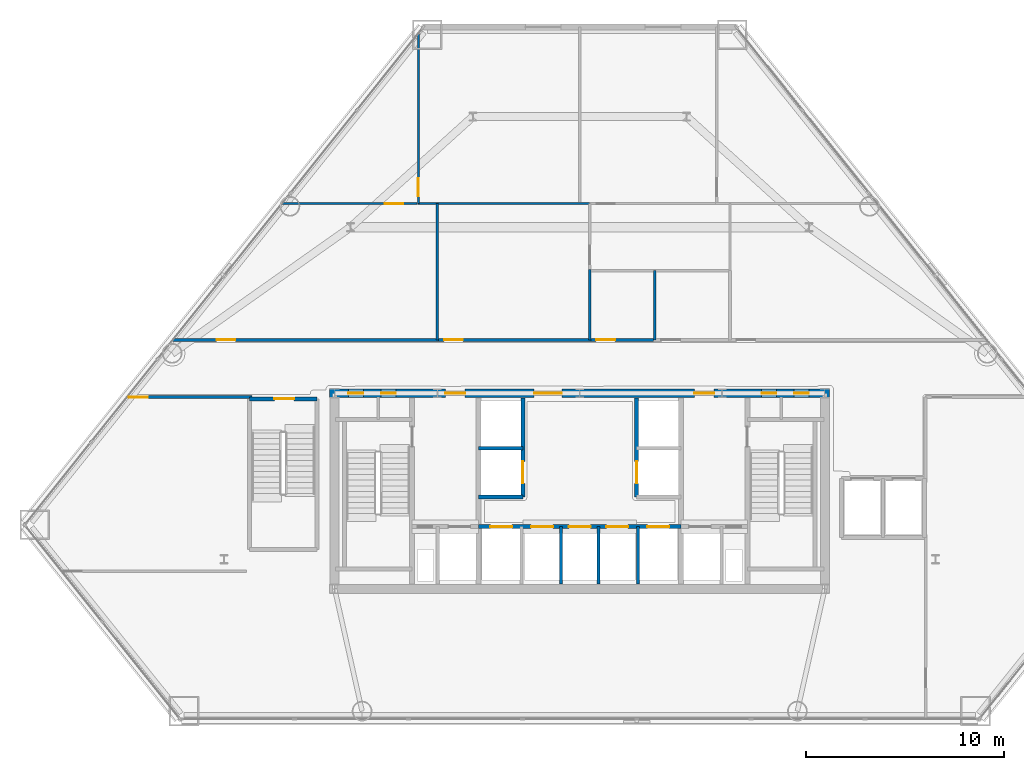
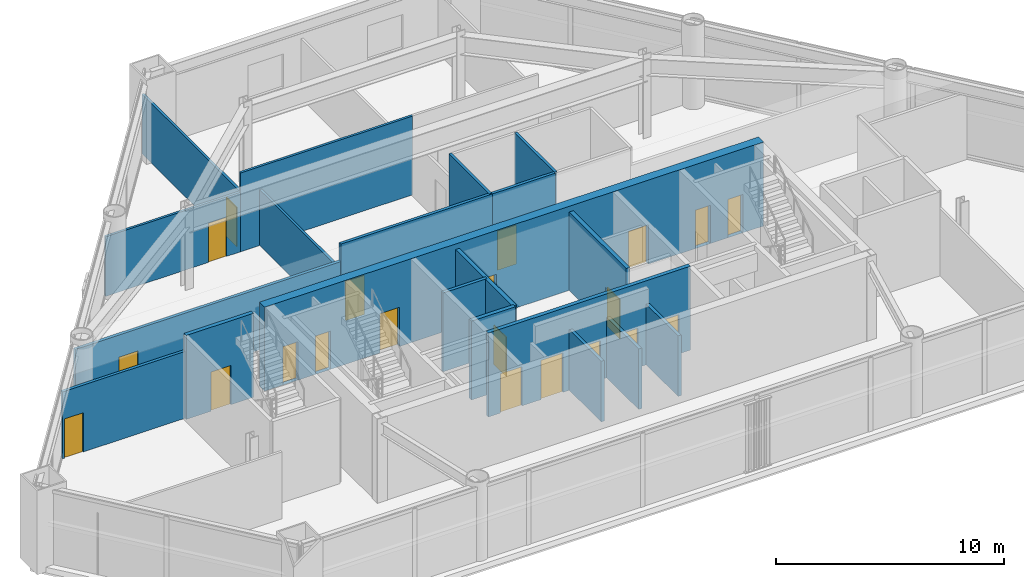
# One storey, part 8 of 13: 21 doors, 20 walls, 21 openings.
"""IFC4 building model written with IfcOpenShell, lengths in metres."""

from ifc_helpers import new_model, si_unit, direction, frame, frame_2d, origin, place, context, subcontext, project, spatial, rectangle, extrude, material, layer, layer_set, type_object, element, fill, save


model = new_model("IFC4")

# Units and contexts
model_context = context("Model", 3, precision=1e-05, world=origin(), true_north=direction((0.0, 1.0)))
body_context = subcontext(model_context, "Body", "Model", "MODEL_VIEW")
ifc_project = project(units=[si_unit("LENGTHUNIT", "METRE"), si_unit("AREAUNIT", "SQUARE_METRE"), si_unit("VOLUMEUNIT", "CUBIC_METRE"), si_unit("PLANEANGLEUNIT", "RADIAN"), si_unit("MASSUNIT", "GRAM", prefix="KILO")], contexts=[model_context])

# Site, building, storey
site_placement = place(None, origin())
site = spatial("IfcSite", under=ifc_project, at=site_placement, CompositionType="ELEMENT")
building_placement = place(site_placement, origin())
building = spatial("IfcBuilding", under=site, at=building_placement, Name="Talgorran Terracotta Tower", CompositionType="ELEMENT")
storey_placement = place(building_placement, frame((0.0, 0.0, 9.89990234375)))
storey = spatial("IfcBuildingStorey", under=building, at=storey_placement, Name="L02", CompositionType="ELEMENT", Elevation=9.89990234375)

# Wall, openings, doors
ifc_material_1 = material(Name="Concrete C50/60", Category="concrete")
ifc_layer_1 = layer(ifc_material_1, 0.199951171875, Name="WT_CORE_200")
ifc_layer_set_1 = layer_set([ifc_layer_1], Name="Concrete C50/60")
wall_type_1 = type_object("IfcWallType", Name="WT_CORE_200", PredefinedType="SOLIDWALL", material=ifc_layer_set_1)
wall_1_placement = place(storey_placement, frame((-5.1201171875, -10.949951171875, 0.0), z_axis=(0.0, 0.0, 1.0), x_axis=(1.0, 0.0, 0.0)))
wall_1 = element("IfcWall", 1, at=wall_1_placement, inside=storey, type_object=wall_type_1, Name="WL-L02-CW-H-SBC", PredefinedType="SOLIDWALL", context=body_context, shape_type="SweptSolid", body=[
    extrude(rectangle(XDim=10.240234375, YDim=0.199951171875, at=frame_2d((5.1201171875, 0.0))), origin(), (0.0, 0.0, 1.0), 4.5),
])
opening_1_placement = place(wall_1_placement, frame((0.60009765625, 0.0, 0.0)))
opening_1 = element("IfcOpeningElement", 2, at=opening_1_placement, cuts=wall_1, Name="Opening LD-OB1", PredefinedType="OPENING", context=body_context, shape_type="SweptSolid", body=[
    extrude(rectangle(XDim=1.10609765625, YDim=2.10409765625, at=frame_2d((0.550048828125, 1.052001953125))), frame((0.0, 0.10986328125, 0.0), z_axis=(0.0, -1.0, 0.0), x_axis=(1.0, 0.0, 0.0)), (0.0, 0.0, 1.0), 0.219970703125),
])
opening_2_placement = place(wall_1_placement, frame((2.669921875, 0.0, 0.0)))
opening_2 = element("IfcOpeningElement", 3, at=opening_2_placement, cuts=wall_1, Name="Opening LD-PLH1", PredefinedType="OPENING", context=body_context, shape_type="SweptSolid", body=[
    extrude(rectangle(XDim=1.10609765625, YDim=2.10409765625, at=frame_2d((0.550048828125, 1.052001953125))), frame((0.0, 0.10986328125, 0.0), z_axis=(0.0, -1.0, 0.0), x_axis=(1.0, 0.0, 0.0)), (0.0, 0.0, 1.0), 0.219970703125),
])
opening_3_placement = place(wall_1_placement, frame((4.570068359375, 0.0, 0.0)))
opening_3 = element("IfcOpeningElement", 4, at=opening_3_placement, cuts=wall_1, Name="Opening LD-PLH2", PredefinedType="OPENING", context=body_context, shape_type="SweptSolid", body=[
    extrude(rectangle(XDim=1.10609765625, YDim=2.10409765625, at=frame_2d((0.550048828125, 1.052001953125))), frame((0.0, 0.10986328125, 0.0), z_axis=(0.0, -1.0, 0.0), x_axis=(1.0, 0.0, 0.0)), (0.0, 0.0, 1.0), 0.219970703125),
])
opening_4_placement = place(wall_1_placement, frame((6.469970703125, 0.0, 0.0)))
opening_4 = element("IfcOpeningElement", 5, at=opening_4_placement, cuts=wall_1, Name="Opening LD-PLH3", PredefinedType="OPENING", context=body_context, shape_type="SweptSolid", body=[
    extrude(rectangle(XDim=1.10609765625, YDim=2.10409765625, at=frame_2d((0.550048828125, 1.052001953125))), frame((0.0, 0.10986328125, 0.0), z_axis=(0.0, -1.0, 0.0), x_axis=(1.0, 0.0, 0.0)), (0.0, 0.0, 1.0), 0.219970703125),
])
opening_5_placement = place(wall_1_placement, frame((8.5400390625, 0.0, 0.0)))
opening_5 = element("IfcOpeningElement", 6, at=opening_5_placement, cuts=wall_1, Name="Opening LD-SVL1", PredefinedType="OPENING", context=body_context, shape_type="SweptSolid", body=[
    extrude(rectangle(XDim=1.10609765625, YDim=2.10409765625, at=frame_2d((0.550048828125, 1.052001953125))), frame((0.0, 0.10986328125, 0.0), z_axis=(0.0, -1.0, 0.0), x_axis=(1.0, 0.0, 0.0)), (0.0, 0.0, 1.0), 0.219970703125),
])
ifc_material_2 = material(Name="Brushed Stainless Steel Grade 304", Category="steel")
door_type_1 = type_object("IfcDoorType", Name="DT_LIFT_LD1100", OperationType="DOUBLE_DOOR_SLIDING", PredefinedType="DOOR", material=ifc_material_2)
door_1_placement = place(opening_1_placement, origin())
door_1 = element("IfcDoor", 7, at=door_1_placement, inside=storey, type_object=door_type_1, Name="L02 Lift Landing Door LD-OB1", OperationType="DOUBLE_DOOR_SLIDING", OverallHeight=2.10009765625, OverallWidth=1.10009765625, PredefinedType="DOOR", context=body_context, shape_type="SweptSolid", body=[
    extrude(rectangle(XDim=1.10009765625, YDim=2.10009765625, at=frame_2d((0.550048828125, 1.050048828125))), frame((0.0, 0.02490234375, 0.0), z_axis=(0.0, -1.0, 0.0), x_axis=(1.0, 0.0, 0.0)), (0.0, 0.0, 1.0), 0.050048828125),
])
fill(opening_1, door_1)
door_2_placement = place(opening_2_placement, origin())
door_2 = element("IfcDoor", 8, at=door_2_placement, inside=storey, type_object=door_type_1, Name="L02 Lift Landing Door LD-PLH1", OperationType="DOUBLE_DOOR_SLIDING", OverallHeight=2.10009765625, OverallWidth=1.10009765625, PredefinedType="DOOR", context=body_context, shape_type="SweptSolid", body=[
    extrude(rectangle(XDim=1.10009765625, YDim=2.10009765625, at=frame_2d((0.550048828125, 1.050048828125))), frame((0.0, 0.02490234375, 0.0), z_axis=(0.0, -1.0, 0.0), x_axis=(1.0, 0.0, 0.0)), (0.0, 0.0, 1.0), 0.050048828125),
])
fill(opening_2, door_2)
door_3_placement = place(opening_3_placement, origin())
door_3 = element("IfcDoor", 9, at=door_3_placement, inside=storey, type_object=door_type_1, Name="L02 Lift Landing Door LD-PLH2", OperationType="DOUBLE_DOOR_SLIDING", OverallHeight=2.10009765625, OverallWidth=1.10009765625, PredefinedType="DOOR", context=body_context, shape_type="SweptSolid", body=[
    extrude(rectangle(XDim=1.10009765625, YDim=2.10009765625, at=frame_2d((0.550048828125, 1.050048828125))), frame((0.0, 0.02490234375, 0.0), z_axis=(0.0, -1.0, 0.0), x_axis=(1.0, 0.0, 0.0)), (0.0, 0.0, 1.0), 0.050048828125),
])
fill(opening_3, door_3)
door_4_placement = place(opening_4_placement, origin())
door_4 = element("IfcDoor", 10, at=door_4_placement, inside=storey, type_object=door_type_1, Name="L02 Lift Landing Door LD-PLH3", OperationType="DOUBLE_DOOR_SLIDING", OverallHeight=2.10009765625, OverallWidth=1.10009765625, PredefinedType="DOOR", context=body_context, shape_type="SweptSolid", body=[
    extrude(rectangle(XDim=1.10009765625, YDim=2.10009765625, at=frame_2d((0.550048828125, 1.050048828125))), frame((0.0, 0.02490234375, 0.0), z_axis=(0.0, -1.0, 0.0), x_axis=(1.0, 0.0, 0.0)), (0.0, 0.0, 1.0), 0.050048828125),
])
fill(opening_4, door_4)
door_5_placement = place(opening_5_placement, origin())
door_5 = element("IfcDoor", 11, at=door_5_placement, inside=storey, type_object=door_type_1, Name="L02 Lift Landing Door LD-SVL1", OperationType="DOUBLE_DOOR_SLIDING", OverallHeight=2.10009765625, OverallWidth=1.10009765625, PredefinedType="DOOR", context=body_context, shape_type="SweptSolid", body=[
    extrude(rectangle(XDim=1.10009765625, YDim=2.10009765625, at=frame_2d((0.550048828125, 1.050048828125))), frame((0.0, 0.02490234375, 0.0), z_axis=(0.0, -1.0, 0.0), x_axis=(1.0, 0.0, 0.0)), (0.0, 0.0, 1.0), 0.050048828125),
])
fill(opening_5, door_5)

# Wall, opening, door
wall_2_placement = place(storey_placement, frame((-2.8798828125, -9.449951171875, 0.0), z_axis=(0.0, 0.0, 1.0), x_axis=(0.0, 1.0, 0.0)))
wall_2 = element("IfcWall", 12, at=wall_2_placement, inside=storey, type_object=wall_type_1, Name="WL-L02-CW-V-W3", PredefinedType="SOLIDWALL", context=body_context, shape_type="SweptSolid", body=[
    extrude(rectangle(XDim=5.0, YDim=0.199951171875, at=frame_2d((2.5, 0.0))), origin(), (0.0, 0.0, 1.0), 4.22021484375),
])
opening_6_placement = place(wall_2_placement, frame((0.699951171875, 0.0, 0.0)))
opening_6 = element("IfcOpeningElement", 13, at=opening_6_placement, cuts=wall_2, Name="Opening LD-PLL1", PredefinedType="OPENING", context=body_context, shape_type="SweptSolid", body=[
    extrude(rectangle(XDim=1.10609765625, YDim=2.10409765625, at=frame_2d((0.550048828125, 1.052001953125))), frame((0.0, 0.10986328125, 0.0), z_axis=(0.0, -1.0, 0.0), x_axis=(1.0, 0.0, 0.0)), (0.0, 0.0, 1.0), 0.219970703125),
])
door_6_placement = place(opening_6_placement, origin())
door_6 = element("IfcDoor", 14, at=door_6_placement, inside=storey, type_object=door_type_1, Name="L02 Lift Landing Door LD-PLL1", OperationType="DOUBLE_DOOR_SLIDING", OverallHeight=2.10009765625, OverallWidth=1.10009765625, PredefinedType="DOOR", context=body_context, shape_type="SweptSolid", body=[
    extrude(rectangle(XDim=1.10009765625, YDim=2.10009765625, at=frame_2d((0.550048828125, 1.050048828125))), frame((0.0, 0.02490234375, 0.0), z_axis=(0.0, -1.0, 0.0), x_axis=(1.0, 0.0, 0.0)), (0.0, 0.0, 1.0), 0.050048828125),
])
fill(opening_6, door_6)

# Wall
wall_3_placement = place(storey_placement, frame((-5.1201171875, -9.449951171875, 0.0), z_axis=(0.0, 0.0, 1.0), x_axis=(1.0, 0.0, 0.0)))
element("IfcWall", 15, at=wall_3_placement, inside=storey, type_object=wall_type_1, Name="WL-L02-CW-H-W4", PredefinedType="SOLIDWALL", context=body_context, shape_type="SweptSolid", body=[
    extrude(rectangle(XDim=2.240234375, YDim=0.199951171875, at=frame_2d((1.1201171875, 0.0))), origin(), (0.0, 0.0, 1.0), 4.22021484375),
])

# Wall, opening, door
wall_4_placement = place(storey_placement, frame((2.8798828125, -9.449951171875, 0.0), z_axis=(0.0, 0.0, 1.0), x_axis=(0.0, 1.0, 0.0)))
wall_4 = element("IfcWall", 16, at=wall_4_placement, inside=storey, type_object=wall_type_1, Name="WL-L02-CW-V-E3", PredefinedType="SOLIDWALL", context=body_context, shape_type="SweptSolid", body=[
    extrude(rectangle(XDim=5.0, YDim=0.199951171875, at=frame_2d((2.5, 0.0))), origin(), (0.0, 0.0, 1.0), 4.22021484375),
])
opening_7_placement = place(wall_4_placement, frame((0.699951171875, 0.0, 0.0)))
opening_7 = element("IfcOpeningElement", 17, at=opening_7_placement, cuts=wall_4, Name="Opening LD-PLM1", PredefinedType="OPENING", context=body_context, shape_type="SweptSolid", body=[
    extrude(rectangle(XDim=1.10609765625, YDim=2.10409765625, at=frame_2d((0.550048828125, 1.052001953125))), frame((0.0, 0.10986328125, 0.0), z_axis=(0.0, -1.0, 0.0), x_axis=(1.0, 0.0, 0.0)), (0.0, 0.0, 1.0), 0.219970703125),
])
door_7_placement = place(opening_7_placement, origin())
door_7 = element("IfcDoor", 18, at=door_7_placement, inside=storey, type_object=door_type_1, Name="L02 Lift Landing Door LD-PLM1", OperationType="DOUBLE_DOOR_SLIDING", OverallHeight=2.10009765625, OverallWidth=1.10009765625, PredefinedType="DOOR", context=body_context, shape_type="SweptSolid", body=[
    extrude(rectangle(XDim=1.10009765625, YDim=2.10009765625, at=frame_2d((0.550048828125, 1.050048828125))), frame((0.0, 0.02490234375, 0.0), z_axis=(0.0, -1.0, 0.0), x_axis=(1.0, 0.0, 0.0)), (0.0, 0.0, 1.0), 0.050048828125),
])
fill(opening_7, door_7)

wall_5_placement = place(storey_placement, frame((-16.699951171875, -4.47998046875, 0.0), z_axis=(0.0, 0.0, 1.0), x_axis=(1.0, 0.0, 0.0)))
wall_5 = element("IfcWall", 19, at=wall_5_placement, inside=storey, type_object=wall_type_1, Name="WL-L02-PW-ST3-N", PredefinedType="SOLIDWALL", context=body_context, shape_type="SweptSolid", body=[
    extrude(rectangle(XDim=3.39990234375, YDim=0.199951171875, at=frame_2d((1.699951171875, 0.0))), origin(), (0.0, 0.0, 1.0), 4.5),
])
opening_8_placement = place(wall_5_placement, frame((1.25, 0.0, 0.0)))
opening_8 = element("IfcOpeningElement", 20, at=opening_8_placement, cuts=wall_5, Name="Opening DR-ST03", PredefinedType="OPENING", context=body_context, shape_type="SweptSolid", body=[
    extrude(rectangle(XDim=1.006, YDim=2.10409765625, at=frame_2d((0.5, 1.052001953125))), frame((0.0, 0.10986328125, 0.0), z_axis=(0.0, -1.0, 0.0), x_axis=(1.0, 0.0, 0.0)), (0.0, 0.0, 1.0), 0.219970703125),
])
ifc_material_3 = material(Name="Fire-Rated Pressed Steel", Category="steel")
door_type_2 = type_object("IfcDoorType", Name="DT_FIRE_1000", OperationType="NOTDEFINED", PredefinedType="DOOR", material=ifc_material_3)
door_8_placement = place(opening_8_placement, origin())
door_8 = element("IfcDoor", 21, at=door_8_placement, inside=storey, type_object=door_type_2, Name="DR-ST03", OperationType="SINGLE_SWING_LEFT", OverallHeight=2.10009765625, OverallWidth=1.0, PredefinedType="DOOR", context=body_context, shape_type="SweptSolid", body=[
    extrude(rectangle(XDim=1.0, YDim=2.10009765625, at=frame_2d((0.5, 1.050048828125))), frame((0.0, 0.02490234375, 0.0), z_axis=(0.0, -1.0, 0.0), x_axis=(1.0, 0.0, 0.0)), (0.0, 0.0, 1.0), 0.050048828125),
])
fill(opening_8, door_8)

# Wall, openings, doors
ifc_material_4 = material(Name="Concrete C65/80", Category="concrete")
ifc_layer_2 = layer(ifc_material_4, 0.449951171875, Name="WT_CORE_EXT")
ifc_layer_set_2 = layer_set([ifc_layer_2], Name="Concrete C65/80")
wall_type_2 = type_object("IfcWallType", Name="WT_CORE_EXT", PredefinedType="SHEAR", material=ifc_layer_set_2)
wall_6_placement = place(storey_placement, frame((-12.64990234375, -4.199951171875, 0.0), z_axis=(0.0, 0.0, 1.0), x_axis=(1.0, 0.0, 0.0)))
wall_6 = element("IfcWall", 22, at=wall_6_placement, inside=storey, type_object=wall_type_2, Name="WL-L02-CW-OUT-N", PredefinedType="SHEAR", context=body_context, shape_type="SweptSolid", body=[
    extrude(rectangle(XDim=25.2998046875, YDim=0.449951171875, at=frame_2d((12.64990234375, 0.0))), origin(), (0.0, 0.0, 1.0), 4.5),
])
opening_9_placement = place(wall_6_placement, frame((0.949951171875, 0.0, 0.0)))
opening_9 = element("IfcOpeningElement", 23, at=opening_9_placement, cuts=wall_6, Name="Opening DR-CSN1", PredefinedType="OPENING", context=body_context, shape_type="SweptSolid", body=[
    extrude(rectangle(XDim=0.756, YDim=2.054048828125, at=frame_2d((0.375, 1.027099609375))), frame((0.0, 0.23486328125, 0.0), z_axis=(0.0, -1.0, 0.0), x_axis=(1.0, 0.0, 0.0)), (0.0, 0.0, 1.0), 0.469970703125),
])
opening_10_placement = place(wall_6_placement, frame((2.60009765625, 0.0, 0.0)))
opening_10 = element("IfcOpeningElement", 24, at=opening_10_placement, cuts=wall_6, Name="Opening DR-CSN2", PredefinedType="OPENING", context=body_context, shape_type="SweptSolid", body=[
    extrude(rectangle(XDim=0.756, YDim=2.054048828125, at=frame_2d((0.375, 1.027099609375))), frame((0.0, 0.23486328125, 0.0), z_axis=(0.0, -1.0, 0.0), x_axis=(1.0, 0.0, 0.0)), (0.0, 0.0, 1.0), 0.469970703125),
])
opening_11_placement = place(wall_6_placement, frame((21.85009765625, 0.0, 0.0)))
opening_11 = element("IfcOpeningElement", 25, at=opening_11_placement, cuts=wall_6, Name="Opening DR-CSN3", PredefinedType="OPENING", context=body_context, shape_type="SweptSolid", body=[
    extrude(rectangle(XDim=0.756, YDim=2.054048828125, at=frame_2d((0.375, 1.027099609375))), frame((0.0, 0.23486328125, 0.0), z_axis=(0.0, -1.0, 0.0), x_axis=(1.0, 0.0, 0.0)), (0.0, 0.0, 1.0), 0.469970703125),
])
opening_12_placement = place(wall_6_placement, frame((23.5, 0.0, 0.0)))
opening_12 = element("IfcOpeningElement", 26, at=opening_12_placement, cuts=wall_6, Name="Opening DR-CSN4", PredefinedType="OPENING", context=body_context, shape_type="SweptSolid", body=[
    extrude(rectangle(XDim=0.756, YDim=2.054048828125, at=frame_2d((0.375, 1.027099609375))), frame((0.0, 0.23486328125, 0.0), z_axis=(0.0, -1.0, 0.0), x_axis=(1.0, 0.0, 0.0)), (0.0, 0.0, 1.0), 0.469970703125),
])
opening_13_placement = place(wall_6_placement, frame((5.85009765625, 0.0, 0.0)))
opening_13 = element("IfcOpeningElement", 27, at=opening_13_placement, cuts=wall_6, Name="Opening DR-FFLW-N", PredefinedType="OPENING", context=body_context, shape_type="SweptSolid", body=[
    extrude(rectangle(XDim=1.006, YDim=2.10409765625, at=frame_2d((0.5, 1.052001953125))), frame((0.0, 0.23486328125, 0.0), z_axis=(0.0, -1.0, 0.0), x_axis=(1.0, 0.0, 0.0)), (0.0, 0.0, 1.0), 0.469970703125),
])
opening_14_placement = place(wall_6_placement, frame((10.35009765625, 0.0, 0.0)))
opening_14 = element("IfcOpeningElement", 28, at=opening_14_placement, cuts=wall_6, Name="Opening DR-PLL-N", PredefinedType="OPENING", context=body_context, shape_type="SweptSolid", body=[
    extrude(rectangle(XDim=1.40590234375, YDim=2.15390234375, at=frame_2d((0.699951171875, 1.076904296875))), frame((0.0, 0.23486328125, 0.0), z_axis=(0.0, -1.0, 0.0), x_axis=(1.0, 0.0, 0.0)), (0.0, 0.0, 1.0), 0.469970703125),
])
opening_15_placement = place(wall_6_placement, frame((18.449951171875, 0.0, 0.0)))
opening_15 = element("IfcOpeningElement", 29, at=opening_15_placement, cuts=wall_6, Name="Opening DR-FFLE-N", PredefinedType="OPENING", context=body_context, shape_type="SweptSolid", body=[
    extrude(rectangle(XDim=1.006, YDim=2.10409765625, at=frame_2d((0.5, 1.052001953125))), frame((0.0, 0.23486328125, 0.0), z_axis=(0.0, -1.0, 0.0), x_axis=(1.0, 0.0, 0.0)), (0.0, 0.0, 1.0), 0.469970703125),
])
ifc_material_5 = material(Name="Acoustic Glazed Timber", Category="wood")
door_type_3 = type_object("IfcDoorType", Name="DT_DOUBLE_1400", OperationType="DOUBLE_DOOR_SINGLE_SWING", PredefinedType="DOOR", material=ifc_material_5)
door_9_placement = place(opening_14_placement, origin())
door_9 = element("IfcDoor", 30, at=door_9_placement, inside=storey, type_object=door_type_3, Name="DR-PLL-N", OperationType="DOUBLE_DOOR_SINGLE_SWING", OverallHeight=2.14990234375, OverallWidth=1.39990234375, PredefinedType="DOOR", context=body_context, shape_type="SweptSolid", body=[
    extrude(rectangle(XDim=1.39990234375, YDim=2.14990234375, at=frame_2d((0.699951171875, 1.074951171875))), frame((0.0, 0.02490234375, 0.0), z_axis=(0.0, -1.0, 0.0), x_axis=(1.0, 0.0, 0.0)), (0.0, 0.0, 1.0), 0.050048828125),
])
fill(opening_14, door_9)
door_10_placement = place(opening_13_placement, origin())
door_10 = element("IfcDoor", 31, at=door_10_placement, inside=storey, type_object=door_type_2, Name="DR-FFLW-N", OperationType="SINGLE_SWING_LEFT", OverallHeight=2.10009765625, OverallWidth=1.0, PredefinedType="DOOR", context=body_context, shape_type="SweptSolid", body=[
    extrude(rectangle(XDim=1.0, YDim=2.10009765625, at=frame_2d((0.5, 1.050048828125))), frame((0.0, 0.02490234375, 0.0), z_axis=(0.0, -1.0, 0.0), x_axis=(1.0, 0.0, 0.0)), (0.0, 0.0, 1.0), 0.050048828125),
])
fill(opening_13, door_10)
door_11_placement = place(opening_15_placement, origin())
door_11 = element("IfcDoor", 32, at=door_11_placement, inside=storey, type_object=door_type_2, Name="DR-FFLE-N", OperationType="SINGLE_SWING_RIGHT", OverallHeight=2.10009765625, OverallWidth=1.0, PredefinedType="DOOR", context=body_context, shape_type="SweptSolid", body=[
    extrude(rectangle(XDim=1.0, YDim=2.10009765625, at=frame_2d((0.5, 1.050048828125))), frame((0.0, 0.02490234375, 0.0), z_axis=(0.0, -1.0, 0.0), x_axis=(1.0, 0.0, 0.0)), (0.0, 0.0, 1.0), 0.050048828125),
])
fill(opening_15, door_11)
door_type_4 = type_object("IfcDoorType", Name="DT_RISER_750", OperationType="NOTDEFINED", PredefinedType="DOOR", material=ifc_material_3)
door_12_placement = place(opening_9_placement, origin())
door_12 = element("IfcDoor", 33, at=door_12_placement, inside=storey, type_object=door_type_4, Name="DR-CSN1", OperationType="SINGLE_SWING_LEFT", OverallHeight=2.050048828125, OverallWidth=0.75, PredefinedType="DOOR", context=body_context, shape_type="SweptSolid", body=[
    extrude(rectangle(XDim=0.75, YDim=2.050048828125, at=frame_2d((0.375, 1.02490234375))), frame((0.0, 0.02490234375, 0.0), z_axis=(0.0, -1.0, 0.0), x_axis=(1.0, 0.0, 0.0)), (0.0, 0.0, 1.0), 0.050048828125),
])
fill(opening_9, door_12)
door_13_placement = place(opening_10_placement, origin())
door_13 = element("IfcDoor", 34, at=door_13_placement, inside=storey, type_object=door_type_4, Name="DR-CSN2", OperationType="SINGLE_SWING_RIGHT", OverallHeight=2.050048828125, OverallWidth=0.75, PredefinedType="DOOR", context=body_context, shape_type="SweptSolid", body=[
    extrude(rectangle(XDim=0.75, YDim=2.050048828125, at=frame_2d((0.375, 1.02490234375))), frame((0.0, 0.02490234375, 0.0), z_axis=(0.0, -1.0, 0.0), x_axis=(1.0, 0.0, 0.0)), (0.0, 0.0, 1.0), 0.050048828125),
])
fill(opening_10, door_13)
door_14_placement = place(opening_11_placement, origin())
door_14 = element("IfcDoor", 35, at=door_14_placement, inside=storey, type_object=door_type_4, Name="DR-CSN3", OperationType="SINGLE_SWING_LEFT", OverallHeight=2.050048828125, OverallWidth=0.75, PredefinedType="DOOR", context=body_context, shape_type="SweptSolid", body=[
    extrude(rectangle(XDim=0.75, YDim=2.050048828125, at=frame_2d((0.375, 1.02490234375))), frame((0.0, 0.02490234375, 0.0), z_axis=(0.0, -1.0, 0.0), x_axis=(1.0, 0.0, 0.0)), (0.0, 0.0, 1.0), 0.050048828125),
])
fill(opening_11, door_14)
door_15_placement = place(opening_12_placement, origin())
door_15 = element("IfcDoor", 36, at=door_15_placement, inside=storey, type_object=door_type_4, Name="DR-CSN4", OperationType="SINGLE_SWING_RIGHT", OverallHeight=2.050048828125, OverallWidth=0.75, PredefinedType="DOOR", context=body_context, shape_type="SweptSolid", body=[
    extrude(rectangle(XDim=0.75, YDim=2.050048828125, at=frame_2d((0.375, 1.02490234375))), frame((0.0, 0.02490234375, 0.0), z_axis=(0.0, -1.0, 0.0), x_axis=(1.0, 0.0, 0.0)), (0.0, 0.0, 1.0), 0.050048828125),
])
fill(opening_12, door_15)

# Wall, opening, door
ifc_material_6 = material(Name="Fire-Rated Steel Stud Plasterboard", Category="steel")
ifc_layer_3 = layer(ifc_material_6, 0.14990234375, Name="WT_FIRE_150")
ifc_layer_set_3 = layer_set([ifc_layer_3], Name="Fire-Rated Steel Stud Plasterboard")
wall_type_3 = type_object("IfcWallType", Name="WT_FIRE_150", PredefinedType="PARTITIONING", material=ifc_layer_set_3)
wall_7_placement = place(storey_placement, frame((-20.589111328125, -1.5, 0.0), z_axis=(0.0, 0.0, 1.0), x_axis=(1.0, 0.0, 0.0)))
wall_7 = element("IfcWall", 37, at=wall_7_placement, inside=storey, type_object=wall_type_3, Name="WL-L02-W-L02-R04", PredefinedType="PARTITIONING", context=body_context, shape_type="SweptSolid", body=[
    extrude(rectangle(XDim=13.44921875, YDim=0.14990234375, at=frame_2d((6.724609375, 0.0))), origin(), (0.0, 0.0, 1.0), 3.287109375),
])
opening_16_placement = place(wall_7_placement, frame((2.219970703125, 0.0, 0.0)))
opening_16 = element("IfcOpeningElement", 38, at=opening_16_placement, cuts=wall_7, Name="Opening DR-L02-R04", PredefinedType="OPENING", context=body_context, shape_type="SweptSolid", body=[
    extrude(rectangle(XDim=0.955951171875, YDim=2.10409765625, at=frame_2d((0.47509765625, 1.052001953125))), frame((0.0, 0.0849609375, 0.0), z_axis=(0.0, -1.0, 0.0), x_axis=(1.0, 0.0, 0.0)), (0.0, 0.0, 1.0), 0.169921875),
])
ifc_material_7 = material(Name="Fire-Rated Timber Core", Category="wood")
door_type_5 = type_object("IfcDoorType", Name="DT_FIRE_950", OperationType="NOTDEFINED", PredefinedType="DOOR", material=ifc_material_7)
door_16_placement = place(opening_16_placement, origin())
door_16 = element("IfcDoor", 39, at=door_16_placement, inside=storey, type_object=door_type_5, Name="DR-L02-R04", OperationType="SINGLE_SWING_RIGHT", OverallHeight=2.10009765625, OverallWidth=0.949951171875, PredefinedType="DOOR", context=body_context, shape_type="SweptSolid", body=[
    extrude(rectangle(XDim=0.949951171875, YDim=2.10009765625, at=frame_2d((0.47509765625, 1.050048828125))), frame((0.0, 0.02490234375, 0.0), z_axis=(0.0, -1.0, 0.0), x_axis=(1.0, 0.0, 0.0)), (0.0, 0.0, 1.0), 0.050048828125),
])
fill(opening_16, door_16)

wall_8_placement = place(storey_placement, frame((-7.137939453125, -1.5, 0.0), z_axis=(0.0, 0.0, 1.0), x_axis=(1.0, 0.0, 0.0)))
wall_8 = element("IfcWall", 40, at=wall_8_placement, inside=storey, type_object=wall_type_3, Name="WL-L02-W-L02-R05", PredefinedType="PARTITIONING", context=body_context, shape_type="SweptSolid", body=[
    extrude(rectangle(XDim=7.697998046875, YDim=0.14990234375, at=frame_2d((3.84912109375, 0.0))), origin(), (0.0, 0.0, 1.0), 4.22021484375),
])
opening_17_placement = place(wall_8_placement, frame((0.277587890625, 0.0, 0.0)))
opening_17 = element("IfcOpeningElement", 41, at=opening_17_placement, cuts=wall_8, Name="Opening DR-L02-R05", PredefinedType="OPENING", context=body_context, shape_type="SweptSolid", body=[
    extrude(rectangle(XDim=0.955951171875, YDim=2.10409765625, at=frame_2d((0.47509765625, 1.052001953125))), frame((0.0, 0.0849609375, 0.0), z_axis=(0.0, -1.0, 0.0), x_axis=(1.0, 0.0, 0.0)), (0.0, 0.0, 1.0), 0.169921875),
])
door_17_placement = place(opening_17_placement, origin())
door_17 = element("IfcDoor", 42, at=door_17_placement, inside=storey, type_object=door_type_5, Name="DR-L02-R05", OperationType="SINGLE_SWING_LEFT", OverallHeight=2.10009765625, OverallWidth=0.949951171875, PredefinedType="DOOR", context=body_context, shape_type="SweptSolid", body=[
    extrude(rectangle(XDim=0.949951171875, YDim=2.10009765625, at=frame_2d((0.47509765625, 1.050048828125))), frame((0.0, 0.02490234375, 0.0), z_axis=(0.0, -1.0, 0.0), x_axis=(1.0, 0.0, 0.0)), (0.0, 0.0, 1.0), 0.050048828125),
])
fill(opening_17, door_17)

wall_9_placement = place(storey_placement, frame((-22.911865234375, -4.39990234375, 0.0), z_axis=(0.0, 0.0, 1.0), x_axis=(1.0, 0.0, 0.0)))
wall_9 = element("IfcWall", 43, at=wall_9_placement, inside=storey, type_object=wall_type_3, Name="WL-L02-W-L02-R01", PredefinedType="PARTITIONING", context=body_context, shape_type="SweptSolid", body=[
    extrude(rectangle(XDim=6.331787109375, YDim=0.14990234375, at=frame_2d((3.166015625, 0.0))), origin(), (0.0, 0.0, 1.0), 3.58349609375),
])
opening_18_placement = place(wall_9_placement, frame((0.10009765625, 0.0, 0.0)))
opening_18 = element("IfcOpeningElement", 44, at=opening_18_placement, cuts=wall_9, Name="Opening DR-L02-R14", PredefinedType="OPENING", context=body_context, shape_type="SweptSolid", body=[
    extrude(rectangle(XDim=0.955951171875, YDim=2.10409765625, at=frame_2d((0.47509765625, 1.052001953125))), frame((0.0, 0.0849609375, 0.0), z_axis=(0.0, -1.0, 0.0), x_axis=(1.0, 0.0, 0.0)), (0.0, 0.0, 1.0), 0.169921875),
])
door_18_placement = place(opening_18_placement, origin())
door_18 = element("IfcDoor", 45, at=door_18_placement, inside=storey, type_object=door_type_5, Name="DR-L02-R14", OperationType="SINGLE_SWING_RIGHT", OverallHeight=2.10009765625, OverallWidth=0.949951171875, PredefinedType="DOOR", context=body_context, shape_type="SweptSolid", body=[
    extrude(rectangle(XDim=0.949951171875, YDim=2.10009765625, at=frame_2d((0.47509765625, 1.050048828125))), frame((0.0, 0.02490234375, 0.0), z_axis=(0.0, -1.0, 0.0), x_axis=(1.0, 0.0, 0.0)), (0.0, 0.0, 1.0), 0.050048828125),
])
fill(opening_18, door_18)

wall_10_placement = place(storey_placement, frame((0.56201171875, -1.5, 0.0), z_axis=(0.0, 0.0, 1.0), x_axis=(1.0, 0.0, 0.0)))
wall_10 = element("IfcWall", 46, at=wall_10_placement, inside=storey, type_object=wall_type_3, Name="WL-L02-W-L02-R06", PredefinedType="PARTITIONING", context=body_context, shape_type="SweptSolid", body=[
    extrude(rectangle(XDim=3.176025390625, YDim=0.14990234375, at=frame_2d((1.587890625, 0.0))), origin(), (0.0, 0.0, 1.0), 4.22021484375),
])
opening_19_placement = place(wall_10_placement, frame((0.276611328125, 0.0, 0.0)))
opening_19 = element("IfcOpeningElement", 47, at=opening_19_placement, cuts=wall_10, Name="Opening DR-L02-R06", PredefinedType="OPENING", context=body_context, shape_type="SweptSolid", body=[
    extrude(rectangle(XDim=0.955951171875, YDim=2.10409765625, at=frame_2d((0.47509765625, 1.052001953125))), frame((0.0, 0.0849609375, 0.0), z_axis=(0.0, -1.0, 0.0), x_axis=(1.0, 0.0, 0.0)), (0.0, 0.0, 1.0), 0.169921875),
])
door_19_placement = place(opening_19_placement, origin())
door_19 = element("IfcDoor", 48, at=door_19_placement, inside=storey, type_object=door_type_5, Name="DR-L02-R06", OperationType="SINGLE_SWING_RIGHT", OverallHeight=2.10009765625, OverallWidth=0.949951171875, PredefinedType="DOOR", context=body_context, shape_type="SweptSolid", body=[
    extrude(rectangle(XDim=0.949951171875, YDim=2.10009765625, at=frame_2d((0.47509765625, 1.050048828125))), frame((0.0, 0.02490234375, 0.0), z_axis=(0.0, -1.0, 0.0), x_axis=(1.0, 0.0, 0.0)), (0.0, 0.0, 1.0), 0.050048828125),
])
fill(opening_19, door_19)

ifc_material_8 = material(Name="Insulated Steel Stud Plasterboard", Category="steel")
ifc_layer_4 = layer(ifc_material_8, 0.1201171875, Name="WT_PART_120")
ifc_layer_set_4 = layer_set([ifc_layer_4], Name="Insulated Steel Stud Plasterboard")
wall_type_4 = type_object("IfcWallType", Name="WT_PART_120", PredefinedType="PARTITIONING", material=ifc_layer_set_4)
wall_11_placement = place(storey_placement, frame((-8.159912109375, 5.39990234375, 0.0), z_axis=(0.0, 0.0, 1.0), x_axis=(0.0, 1.0, 0.0)))
wall_11 = element("IfcWall", 49, at=wall_11_placement, inside=storey, type_object=wall_type_4, Name="WL-L02-W-L02-R26", PredefinedType="PARTITIONING", context=body_context, shape_type="SweptSolid", body=[
    extrude(rectangle(XDim=8.619384765625, YDim=0.1201171875, at=frame_2d((4.3095703125, 0.0))), origin(), (0.0, 0.0, 1.0), 3.195068359375),
])
opening_20_placement = place(wall_11_placement, frame((0.360107421875, 0.0, 0.0)))
opening_20 = element("IfcOpeningElement", 50, at=opening_20_placement, cuts=wall_11, Name="Opening DR-L02-R11", PredefinedType="OPENING", context=body_context, shape_type="SweptSolid", body=[
    extrude(rectangle(XDim=0.925921875, YDim=2.10409765625, at=frame_2d((0.4599609375, 1.052001953125))), frame((0.0, 0.070068359375, 0.0), z_axis=(0.0, -1.0, 0.0), x_axis=(1.0, 0.0, 0.0)), (0.0, 0.0, 1.0), 0.14013671875),
])
ifc_material_9 = material(Name="Solid-Core Painted Timber", Category="wood")
door_type_6 = type_object("IfcDoorType", Name="DT_INT_920", OperationType="NOTDEFINED", PredefinedType="DOOR", material=ifc_material_9)
door_20_placement = place(opening_20_placement, origin())
door_20 = element("IfcDoor", 51, at=door_20_placement, inside=storey, type_object=door_type_6, Name="DR-L02-R11", OperationType="SINGLE_SWING_LEFT", OverallHeight=2.10009765625, OverallWidth=0.919921875, PredefinedType="DOOR", context=body_context, shape_type="SweptSolid", body=[
    extrude(rectangle(XDim=0.919921875, YDim=2.10009765625, at=frame_2d((0.4599609375, 1.050048828125))), frame((0.0, 0.02490234375, 0.0), z_axis=(0.0, -1.0, 0.0), x_axis=(1.0, 0.0, 0.0)), (0.0, 0.0, 1.0), 0.050048828125),
])
fill(opening_20, door_20)

# Wall
wall_12_placement = place(storey_placement, frame((-8.219970703125, 5.39990234375, 0.0), z_axis=(0.0, 0.0, 1.0), x_axis=(1.0, 0.0, 0.0)))
element("IfcWall", 52, at=wall_12_placement, inside=storey, type_object=wall_type_4, Name="WL-L02-W-L02-R16", PredefinedType="PARTITIONING", context=body_context, shape_type="SweptSolid", body=[
    extrude(rectangle(XDim=8.719970703125, YDim=0.1201171875, at=frame_2d((4.35986328125, 0.0))), origin(), (0.0, 0.0, 1.0), 4.22021484375),
])

# Wall, opening, door
wall_13_placement = place(storey_placement, frame((-15.06298828125, 5.39990234375, 0.0), z_axis=(0.0, 0.0, 1.0), x_axis=(1.0, 0.0, 0.0)))
wall_13 = element("IfcWall", 53, at=wall_13_placement, inside=storey, type_object=wall_type_4, Name="WL-L02-W-L02-R12", PredefinedType="PARTITIONING", context=body_context, shape_type="SweptSolid", body=[
    extrude(rectangle(XDim=6.841064453125, YDim=0.1201171875, at=frame_2d((3.42041015625, 0.0))), origin(), (0.0, 0.0, 1.0), 3.195068359375),
])
opening_21_placement = place(wall_13_placement, frame((5.205078125, 0.0, 0.0)))
opening_21 = element("IfcOpeningElement", 54, at=opening_21_placement, cuts=wall_13, Name="Opening DR-L02-R10", PredefinedType="OPENING", context=body_context, shape_type="SweptSolid", body=[
    extrude(rectangle(XDim=0.925921875, YDim=2.10409765625, at=frame_2d((0.4599609375, 1.052001953125))), frame((0.0, 0.070068359375, 0.0), z_axis=(0.0, -1.0, 0.0), x_axis=(1.0, 0.0, 0.0)), (0.0, 0.0, 1.0), 0.14013671875),
])
door_21_placement = place(opening_21_placement, origin())
door_21 = element("IfcDoor", 55, at=door_21_placement, inside=storey, type_object=door_type_6, Name="DR-L02-R10", OperationType="SINGLE_SWING_RIGHT", OverallHeight=2.10009765625, OverallWidth=0.919921875, PredefinedType="DOOR", context=body_context, shape_type="SweptSolid", body=[
    extrude(rectangle(XDim=0.919921875, YDim=2.10009765625, at=frame_2d((0.4599609375, 1.050048828125))), frame((0.0, 0.02490234375, 0.0), z_axis=(0.0, -1.0, 0.0), x_axis=(1.0, 0.0, 0.0)), (0.0, 0.0, 1.0), 0.050048828125),
])
fill(opening_21, door_21)

# Walls
wall_14_placement = place(storey_placement, frame((-7.199951171875, -1.5, 0.0), z_axis=(0.0, 0.0, 1.0), x_axis=(0.0, 1.0, 0.0)))
element("IfcWall", 56, at=wall_14_placement, inside=storey, type_object=wall_type_4, Name="WL-L02-W-L02-R11", PredefinedType="PARTITIONING", context=body_context, shape_type="SweptSolid", body=[
    extrude(rectangle(XDim=6.89990234375, YDim=0.1201171875, at=frame_2d((3.449951171875, 0.0))), origin(), (0.0, 0.0, 1.0), 2.9951171875),
])
ifc_material_10 = material(Name="Moisture-Resistant Stud Wall")
ifc_layer_5 = layer(ifc_material_10, 0.135009765625, Name="WT_PART_135")
ifc_layer_set_5 = layer_set([ifc_layer_5], Name="Moisture-Resistant Stud Wall")
wall_type_5 = type_object("IfcWallType", Name="WT_PART_135", PredefinedType="PARTITIONING", material=ifc_layer_set_5)
wall_15_placement = place(storey_placement, frame((0.5, -1.5, 0.0), z_axis=(0.0, 0.0, 1.0), x_axis=(0.0, 1.0, 0.0)))
element("IfcWall", 57, at=wall_15_placement, inside=storey, type_object=wall_type_5, Name="WL-L02-W-L02-R14", PredefinedType="PARTITIONING", context=body_context, shape_type="SweptSolid", body=[
    extrude(rectangle(XDim=3.56005859375, YDim=0.135009765625, at=frame_2d((1.780029296875, 0.0))), origin(), (0.0, 0.0, 1.0), 4.22021484375),
])
wall_16_placement = place(storey_placement, frame((3.800048828125, -1.5, 0.0), z_axis=(0.0, 0.0, 1.0), x_axis=(0.0, 1.0, 0.0)))
element("IfcWall", 58, at=wall_16_placement, inside=storey, type_object=wall_type_5, Name="WL-L02-W-L02-R18", PredefinedType="PARTITIONING", context=body_context, shape_type="SweptSolid", body=[
    extrude(rectangle(XDim=3.5, YDim=0.135009765625, at=frame_2d((1.75, 0.0))), origin(), (0.0, 0.0, 1.0), 4.22021484375),
])
ifc_material_11 = material(Name="Fire-Rated Shaftwall")
ifc_layer_6 = layer(ifc_material_11, 0.159912109375, Name="WT_PART_150")
ifc_layer_set_6 = layer_set([ifc_layer_6], Name="Fire-Rated Shaftwall")
wall_type_6 = type_object("IfcWallType", Name="WT_PART_150", PredefinedType="PARTITIONING", material=ifc_layer_set_6)
wall_17_placement = place(storey_placement, frame((-5.1201171875, -6.97998046875, 0.0), z_axis=(0.0, 0.0, 1.0), x_axis=(1.0, 0.0, 0.0)))
element("IfcWall", 59, at=wall_17_placement, inside=storey, type_object=wall_type_6, Name="WL-L02-CW-PLL-DIV", PredefinedType="PARTITIONING", context=body_context, shape_type="SweptSolid", body=[
    extrude(rectangle(XDim=2.240234375, YDim=0.159912109375, at=frame_2d((1.1201171875, 0.0))), origin(), (0.0, 0.0, 1.0), 4.22021484375),
])
for number, where, z_axis, x_axis, name in (
    (60, (2.949951171875, -13.85009765625, 0.0), (0.0, 0.0, 1.0), (0.0, 1.0, 0.0), "WL-L02-CW-SV-W"),
    (61, (-0.949951171875, -13.85009765625, 0.0), (0.0, 0.0, 1.0), (0.0, 1.0, 0.0), "WL-L02-CW-PLH-D1"),
    (62, (0.949951171875, -13.85009765625, 0.0), (0.0, 0.0, 1.0), (0.0, 1.0, 0.0), "WL-L02-CW-PLH-D2"),
):
    element("IfcWall", number, at=place(storey_placement, frame(where, z_axis=z_axis, x_axis=x_axis)), inside=storey, type_object=wall_type_6, Name=name, PredefinedType="PARTITIONING", context=body_context, shape_type="SweptSolid", body=[
        extrude(rectangle(XDim=2.900146484375, YDim=0.159912109375, at=frame_2d((1.4501953125, 0.0))), origin(), (0.0, 0.0, 1.0), 3.2451171875),
    ])

save(model, "model.ifc")
